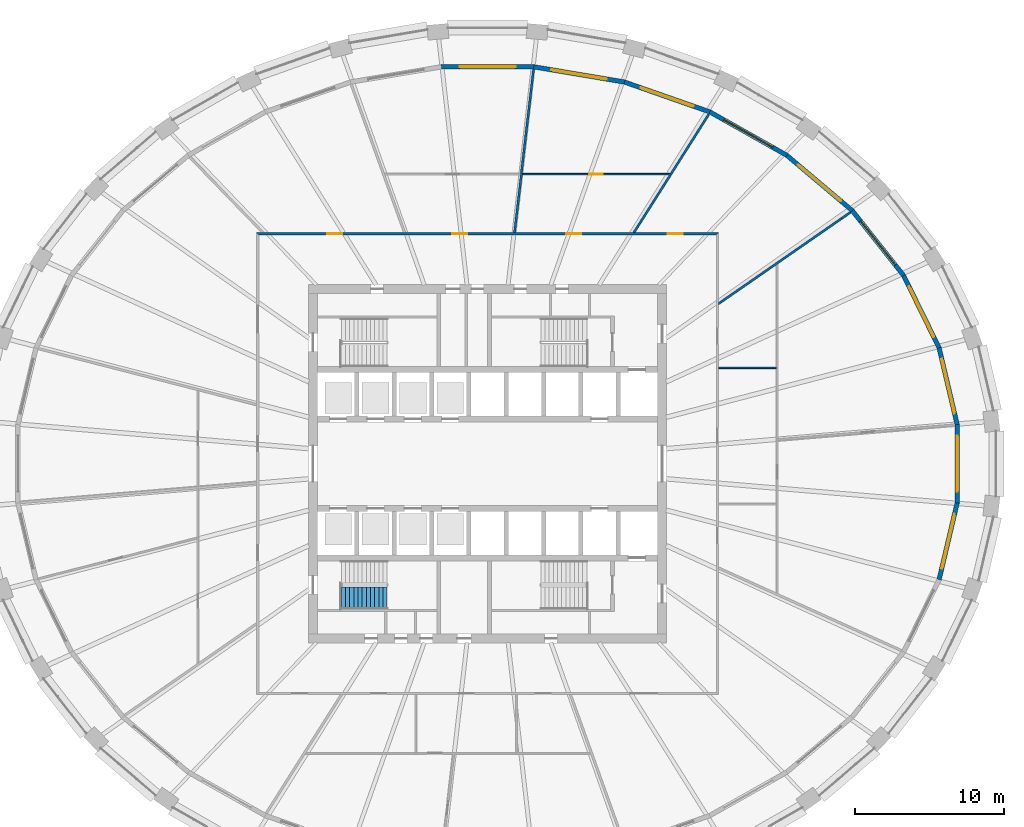
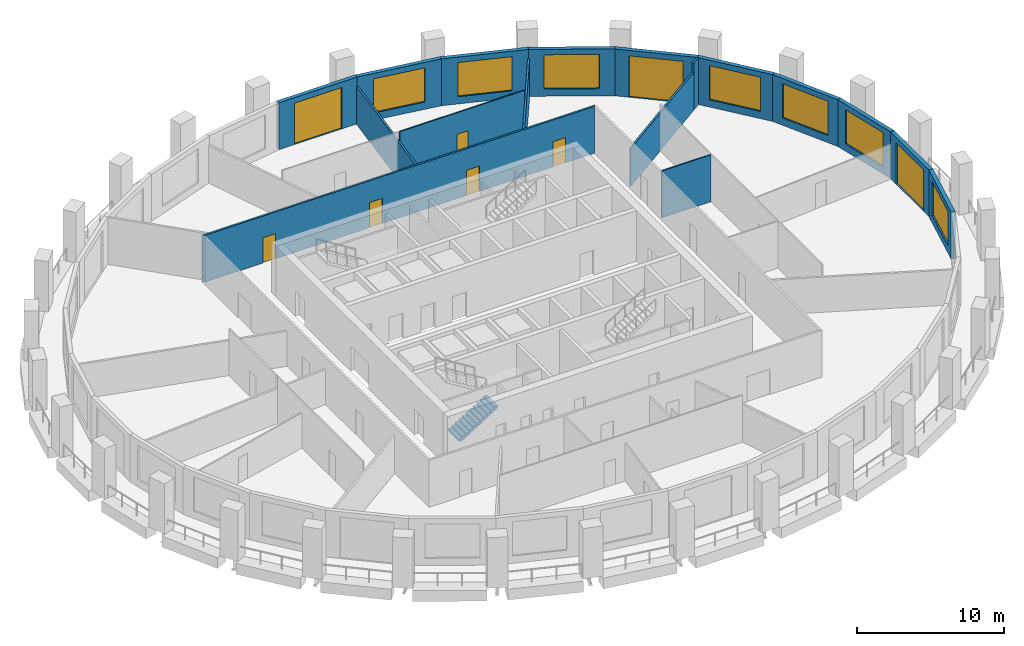
# One storey, part 7 of 11: 18 walls, 8 doors, 7 windows, 1 stair flight, 15 openings, 1 element without a shape of its own.
"""IFC4 building model written with IfcOpenShell, lengths in metres."""

from ifc_helpers import new_model, si_unit, direction, frame, frame_2d, origin, place, context, subcontext, project, spatial, polyline, rectangle, outline, extrude, material, layer, layer_set, type_object, element, fill, aggregate, save


model = new_model("IFC4")

# Units and contexts
model_context = context("Model", 3, precision=1e-05, world=origin(), true_north=direction((0.0, 1.0)))
body_context = subcontext(model_context, "Body", "Model", "MODEL_VIEW")
ifc_project = project(units=[si_unit("LENGTHUNIT", "METRE"), si_unit("AREAUNIT", "SQUARE_METRE"), si_unit("VOLUMEUNIT", "CUBIC_METRE"), si_unit("PLANEANGLEUNIT", "RADIAN"), si_unit("MASSUNIT", "GRAM", prefix="KILO")], contexts=[model_context])

# Site, building, storey
site_placement = place(None, origin())
site = spatial("IfcSite", under=ifc_project, at=site_placement, CompositionType="ELEMENT")
building_placement = place(site_placement, origin())
building = spatial("IfcBuilding", under=site, at=building_placement, Name="Halqa Exchange Tower", CompositionType="ELEMENT")
storey_placement = place(building_placement, frame((0.0, 0.0, 150.699951171875)))
storey = spatial("IfcBuildingStorey", under=building, at=storey_placement, Name="L34", CompositionType="ELEMENT", Elevation=150.699951171875)

# Wall, openings, doors
ifc_material_1 = material(Name="Fire-rated gypsum board")
ifc_layer_1 = layer(ifc_material_1, 0.14990234375)
ifc_layer_set_1 = layer_set([ifc_layer_1], Name="Fire-rated gypsum board")
wall_type_1 = type_object("IfcWallType", Name="Fire partition EI 60 150", PredefinedType="PARTITIONING", material=ifc_layer_set_1)
wall_1_placement = place(storey_placement, frame((-15.47509765625, 15.39990234375, 0.0), z_axis=(0.0, 0.0, 1.0), x_axis=(1.0, 0.0, 0.0)))
wall_1 = element("IfcWall", 1, at=wall_1_placement, inside=storey, type_object=wall_type_1, Name="L34-PWL-009", PredefinedType="PARTITIONING", context=body_context, shape_type="SweptSolid", body=[
    extrude(outline(polyline([(0.150146484375, -0.074951171875), (2.065673828125, -0.074951171875), (3.9814453125, -0.074951171875), (5.89697265625, -0.074951171875), (7.8125, -0.074951171875), (9.728271484375, -0.074951171875), (11.643798828125, -0.074951171875), (13.5595703125, -0.074951171875), (15.47509765625, -0.074951171875), (17.390625, -0.074951171875), (19.306396484375, -0.074951171875), (21.221923828125, -0.074951171875), (23.1376953125, -0.074951171875), (25.05322265625, -0.074951171875), (26.96875, -0.074951171875), (28.884521484375, -0.074951171875), (30.800048828125, -0.074951171875), (30.949951171875, 0.074951171875), (29.015625, 0.074951171875), (27.081298828125, 0.074951171875), (25.14697265625, 0.074951171875), (23.21240234375, 0.074951171875), (21.278076171875, 0.074951171875), (19.34375, 0.074951171875), (17.409423828125, 0.074951171875), (15.47509765625, 0.074951171875), (13.540771484375, 0.074951171875), (11.6064453125, 0.074951171875), (9.672119140625, 0.074951171875), (7.73779296875, 0.074951171875), (5.80322265625, 0.074951171875), (3.868896484375, 0.074951171875), (1.9345703125, 0.074951171875), (0.000244140625, 0.074951171875), (0.150146484375, -0.074951171875)])), origin(), (0.0, 0.0, 1.0), 3.900146484375),
])
opening_1_placement = place(wall_1_placement, frame((27.550048828125, 0.0, 0.0)))
opening_1 = element("IfcOpeningElement", 2, at=opening_1_placement, cuts=wall_1, Name="Opening 10-04", PredefinedType="OPENING", context=body_context, shape_type="SweptSolid", body=[
    extrude(rectangle(XDim=1.0, YDim=2.10009765625, at=frame_2d((0.5, 1.050048828125))), frame((0.0, 0.0869140625, 0.0), z_axis=(0.0, -1.0, 0.0), x_axis=(1.0, 0.0, 0.0)), (0.0, 0.0, 1.0), 0.173828125),
])
opening_2_placement = place(wall_1_placement, frame((20.75, 0.0, 0.0)))
opening_2 = element("IfcOpeningElement", 3, at=opening_2_placement, cuts=wall_1, Name="Opening 10-05", PredefinedType="OPENING", context=body_context, shape_type="SweptSolid", body=[
    extrude(rectangle(XDim=1.0, YDim=2.10009765625, at=frame_2d((0.5, 1.050048828125))), frame((0.0, 0.0869140625, 0.0), z_axis=(0.0, -1.0, 0.0), x_axis=(1.0, 0.0, 0.0)), (0.0, 0.0, 1.0), 0.173828125),
])
opening_3_placement = place(wall_1_placement, frame((13.110107421875, 0.0, 0.0)))
opening_3 = element("IfcOpeningElement", 4, at=opening_3_placement, cuts=wall_1, Name="Opening 10-06", PredefinedType="OPENING", context=body_context, shape_type="SweptSolid", body=[
    extrude(rectangle(XDim=1.0, YDim=2.10009765625, at=frame_2d((0.5, 1.050048828125))), frame((0.0, 0.0869140625, 0.0), z_axis=(0.0, -1.0, 0.0), x_axis=(1.0, 0.0, 0.0)), (0.0, 0.0, 1.0), 0.173828125),
])
opening_4_placement = place(wall_1_placement, frame((4.72509765625, 0.0, 0.0)))
opening_4 = element("IfcOpeningElement", 5, at=opening_4_placement, cuts=wall_1, Name="Opening 10-07", PredefinedType="OPENING", context=body_context, shape_type="SweptSolid", body=[
    extrude(rectangle(XDim=1.0, YDim=2.10009765625, at=frame_2d((0.5, 1.050048828125))), frame((0.0, 0.0869140625, 0.0), z_axis=(0.0, -1.0, 0.0), x_axis=(1.0, 0.0, 0.0)), (0.0, 0.0, 1.0), 0.173828125),
])
ifc_material_2 = material(Name="Steel fire door leaf", Category="steel")
door_type_1 = type_object("IfcDoorType", Name="Fire door FD30S 1000 x 2100", OperationType="SINGLE_SWING_LEFT", PredefinedType="DOOR", material=ifc_material_2)
door_1_placement = place(opening_1_placement, origin())
door_1 = element("IfcDoor", 6, at=door_1_placement, inside=storey, type_object=door_type_1, Name="L34-IDR-004", OperationType="SINGLE_SWING_RIGHT", OverallHeight=2.10009765625, OverallWidth=1.0, PredefinedType="DOOR", context=body_context, shape_type="SweptSolid", body=[
    extrude(rectangle(XDim=1.0, YDim=2.10009765625, at=frame_2d((0.5, 1.050048828125))), frame((0.0, 0.02490234375, 0.0), z_axis=(0.0, -1.0, 0.0), x_axis=(1.0, 0.0, 0.0)), (0.0, 0.0, 1.0), 0.050048828125),
])
fill(opening_1, door_1)
door_2_placement = place(opening_2_placement, origin())
door_2 = element("IfcDoor", 7, at=door_2_placement, inside=storey, type_object=door_type_1, Name="L34-IDR-005", OperationType="SINGLE_SWING_LEFT", OverallHeight=2.10009765625, OverallWidth=1.0, PredefinedType="DOOR", context=body_context, shape_type="SweptSolid", body=[
    extrude(rectangle(XDim=1.0, YDim=2.10009765625, at=frame_2d((0.5, 1.050048828125))), frame((0.0, 0.02490234375, 0.0), z_axis=(0.0, -1.0, 0.0), x_axis=(1.0, 0.0, 0.0)), (0.0, 0.0, 1.0), 0.050048828125),
])
fill(opening_2, door_2)
door_3_placement = place(opening_3_placement, origin())
door_3 = element("IfcDoor", 8, at=door_3_placement, inside=storey, type_object=door_type_1, Name="L34-IDR-006", OperationType="SINGLE_SWING_LEFT", OverallHeight=2.10009765625, OverallWidth=1.0, PredefinedType="DOOR", context=body_context, shape_type="SweptSolid", body=[
    extrude(rectangle(XDim=1.0, YDim=2.10009765625, at=frame_2d((0.5, 1.050048828125))), frame((0.0, 0.02490234375, 0.0), z_axis=(0.0, -1.0, 0.0), x_axis=(1.0, 0.0, 0.0)), (0.0, 0.0, 1.0), 0.050048828125),
])
fill(opening_3, door_3)
door_4_placement = place(opening_4_placement, origin())
door_4 = element("IfcDoor", 9, at=door_4_placement, inside=storey, type_object=door_type_1, Name="L34-IDR-007", OperationType="SINGLE_SWING_LEFT", OverallHeight=2.10009765625, OverallWidth=1.0, PredefinedType="DOOR", context=body_context, shape_type="SweptSolid", body=[
    extrude(rectangle(XDim=1.0, YDim=2.10009765625, at=frame_2d((0.5, 1.050048828125))), frame((0.0, 0.02490234375, 0.0), z_axis=(0.0, -1.0, 0.0), x_axis=(1.0, 0.0, 0.0)), (0.0, 0.0, 1.0), 0.050048828125),
])
fill(opening_4, door_4)

# Walls
wall_2_placement = place(storey_placement, frame((1.807861328125, 15.466552734375, 0.0), z_axis=(0.0, 0.0, 1.0), x_axis=(0.116696736795, 0.993167594931, 0.0)))
element("IfcWall", 10, at=wall_2_placement, inside=storey, type_object=wall_type_1, Name="L34-PWL-017", PredefinedType="PARTITIONING", context=body_context, shape_type="SweptSolid", body=[
    extrude(outline(polyline([(0.017333984375, -0.074951171875), (2.012451171875, -0.074951171875), (4.0078125, -0.074951171875), (4.018798828125, -0.07373046875), (4.018798828125, 0.074951171875), (3.998291015625, 0.074951171875), (3.902587890625, 0.063720703125), (3.9013671875, 0.074951171875), (1.95068359375, 0.074951171875), (0.0, 0.074951171875), (0.0, 0.072265625), (0.017333984375, -0.074951171875)])), origin(), (0.0, 0.0, 1.0), 3.14697265625),
])
wall_3_placement = place(storey_placement, frame((2.264892578125, 19.441650390625, 0.0), z_axis=(0.0, 0.0, 1.0), x_axis=(0.116372597522, 0.993205627524, 0.0)))
element("IfcWall", 11, at=wall_3_placement, inside=storey, type_object=wall_type_1, Name="L34-PWL-019", PredefinedType="PARTITIONING", context=body_context, shape_type="SweptSolid", body=[
    extrude(outline(polyline([(7.042724609375, -0.074951171875), (7.042724609375, 0.034912109375), (7.0380859375, 0.074951171875), (5.278564453125, 0.074951171875), (3.51904296875, 0.074951171875), (1.759521484375, 0.074951171875), (0.0, 0.074951171875), (0.0, 0.07177734375), (0.000732421875, 0.0654296875), (0.0, 0.0654296875), (0.0, 0.065185546875), (0.017822265625, 0.065185546875), (0.017822265625, -0.074951171875), (1.77392578125, -0.074951171875), (3.5302734375, -0.074951171875), (5.286376953125, -0.074951171875), (7.042724609375, -0.074951171875)])), origin(), (0.0, 0.0, 1.0), 3.14697265625),
])
wall_4_placement = place(storey_placement, frame((9.772216796875, 15.43505859375, 0.0), z_axis=(0.0, 0.0, 1.0), x_axis=(0.535018864906, 0.844840111616, 0.0)))
element("IfcWall", 12, at=wall_4_placement, inside=storey, type_object=wall_type_1, Name="L34-PWL-022", PredefinedType="PARTITIONING", context=body_context, shape_type="SweptSolid", body=[
    extrude(outline(polyline([(9.442626953125, 0.074951171875), (7.863037109375, 0.074951171875), (6.283447265625, 0.074951171875), (4.703857421875, 0.074951171875), (4.6201171875, 0.02197265625), (4.58642578125, 0.074951171875), (3.0576171875, 0.074951171875), (1.52880859375, 0.074951171875), (0.0, 0.074951171875), (0.0, 0.07470703125), (0.0947265625, -0.074951171875), (1.96435546875, -0.074951171875), (3.833984375, -0.074951171875), (5.703369140625, -0.074951171875), (7.572998046875, -0.074951171875), (9.442626953125, -0.074951171875), (9.442626953125, 0.074951171875)])), origin(), (0.0, 0.0, 1.0), 3.14697265625),
])
wall_5_placement = place(storey_placement, frame((15.4326171875, 10.6923828125, 0.0), z_axis=(0.0, 0.0, 1.0), x_axis=(0.822108408401, 0.569330980042, 0.0)))
element("IfcWall", 13, at=wall_5_placement, inside=storey, type_object=wall_type_1, Name="L34-PWL-027", PredefinedType="PARTITIONING", context=body_context, shape_type="SweptSolid", body=[
    extrude(outline(polyline([(0.0, -0.074951171875), (1.571044921875, -0.074951171875), (3.14208984375, -0.074951171875), (4.713134765625, -0.074951171875), (4.715087890625, -0.072265625), (4.718994140625, -0.074951171875), (6.50341796875, -0.074951171875), (8.28759765625, -0.074951171875), (10.07177734375, -0.074951171875), (10.07177734375, 0.074951171875), (8.078125, 0.074951171875), (6.08447265625, 0.074951171875), (4.0908203125, 0.074951171875), (2.09716796875, 0.074951171875), (0.103515625, 0.074951171875), (0.0, -0.074462890625), (0.0, -0.074951171875)])), origin(), (0.0, 0.0, 1.0), 3.14697265625),
])
wall_6_placement = place(storey_placement, frame((23.712646484375, 16.426513671875, 0.0), z_axis=(0.0, 0.0, 1.0), x_axis=(0.822145264982, 0.569277755816, 0.0)))
element("IfcWall", 14, at=wall_6_placement, inside=storey, type_object=wall_type_1, Name="L34-PWL-031", PredefinedType="PARTITIONING", context=body_context, shape_type="SweptSolid", body=[
    extrude(outline(polyline([(0.749267578125, -0.074951171875), (0.749267578125, -0.071533203125), (0.744384765625, 0.005615234375), (0.7255859375, 0.074951171875), (0.0, 0.074951171875), (0.0, -0.074951171875), (0.749267578125, -0.074951171875)])), origin(), (0.0, 0.0, 1.0), 3.900146484375),
])

# Wall, opening, door
ifc_material_3 = material(Name="Gypsum board")
ifc_layer_2 = layer(ifc_material_3, 0.10009765625)
ifc_layer_set_2 = layer_set([ifc_layer_2], Name="Gypsum board")
wall_type_2 = type_object("IfcWallType", Name="Partition 100 gypsum", PredefinedType="PARTITIONING", material=ifc_layer_set_2)
wall_7_placement = place(storey_placement, frame((2.340087890625, 19.39990234375, 0.0), z_axis=(0.0, 0.0, 1.0), x_axis=(1.0, 0.0, 0.0)))
wall_7 = element("IfcWall", 15, at=wall_7_placement, inside=storey, type_object=wall_type_2, Name="L34-PWL-020", PredefinedType="PARTITIONING", context=body_context, shape_type="SweptSolid", body=[
    extrude(outline(polyline([(0.0, -0.050048828125), (1.964599609375, -0.050048828125), (3.928955078125, -0.050048828125), (5.8935546875, -0.050048828125), (7.858154296875, -0.050048828125), (9.822509765625, -0.050048828125), (9.885498046875, 0.04931640625), (9.885498046875, 0.050048828125), (7.90966796875, 0.050048828125), (5.93359375, 0.050048828125), (3.957763671875, 0.050048828125), (1.981689453125, 0.050048828125), (0.005859375, 0.050048828125), (0.01123046875, 0.04931640625), (0.0, -0.0458984375), (0.0, -0.050048828125)])), origin(), (0.0, 0.0, 1.0), 3.900146484375),
])
opening_5_placement = place(wall_7_placement, frame((4.485107421875, 0.0, 0.0)))
opening_5 = element("IfcOpeningElement", 16, at=opening_5_placement, cuts=wall_7, Name="Opening 10-18", PredefinedType="OPENING", context=body_context, shape_type="SweptSolid", body=[
    extrude(rectangle(XDim=0.89990234375, YDim=2.10009765625, at=frame_2d((0.449951171875, 1.050048828125))), frame((0.0, 0.06201171875, 0.0), z_axis=(0.0, -1.0, 0.0), x_axis=(1.0, 0.0, 0.0)), (0.0, 0.0, 1.0), 0.1240234375),
])
ifc_material_4 = material(Name="Timber door leaf", Category="wood")
door_type_2 = type_object("IfcDoorType", Name="Door 900 x 2100", OperationType="SINGLE_SWING_LEFT", PredefinedType="DOOR", material=ifc_material_4)
door_5_placement = place(opening_5_placement, frame((0.89990234375, 0.0, 0.0), z_axis=(0.0, 0.0, 1.0), x_axis=(-1.0, 0.0, 0.0)))
door_5 = element("IfcDoor", 17, at=door_5_placement, inside=storey, type_object=door_type_2, Name="L34-IDR-018", OperationType="SINGLE_SWING_RIGHT", OverallHeight=2.10009765625, OverallWidth=0.89990234375, PredefinedType="DOOR", context=body_context, shape_type="SweptSolid", body=[
    extrude(rectangle(XDim=0.89990234375, YDim=2.10009765625, at=frame_2d((0.449951171875, 1.050048828125))), frame((0.0, 0.02490234375, 0.0), z_axis=(0.0, -1.0, 0.0), x_axis=(1.0, 0.0, 0.0)), (0.0, 0.0, 1.0), 0.050048828125),
])
fill(opening_5, door_5)

# Wall
wall_8_placement = place(storey_placement, frame((15.47509765625, 6.419921875, 0.0), z_axis=(0.0, 0.0, 1.0), x_axis=(1.0, 0.0, 0.0)))
element("IfcWall", 18, at=wall_8_placement, inside=storey, type_object=wall_type_2, Name="L34-PWL-026", PredefinedType="PARTITIONING", context=body_context, shape_type="SweptSolid", body=[
    extrude(rectangle(XDim=3.875, YDim=0.10009765625, at=frame_2d((1.9375, 0.0))), origin(), (0.0, 0.0, 1.0), 3.900146484375),
])

# Wall, opening, window
ifc_material_5 = material(Name="Limestone cladding", Category="masonry")
ifc_layer_3 = layer(ifc_material_5, 0.0400390625)
ifc_material_6 = material(Name="Ventilated cavity")
ifc_layer_4 = layer(ifc_material_6, 0.030029296875, ventilated=True)
ifc_material_7 = material(Name="Mineral wool insulation")
ifc_layer_5 = layer(ifc_material_7, 0.10009765625)
ifc_material_8 = material(Name="Concrete C30/37", Category="concrete")
ifc_layer_6 = layer(ifc_material_8, 0.10009765625)
ifc_material_9 = material(Name="Internal plaster")
ifc_layer_7 = layer(ifc_material_9, 0.030029296875)
ifc_layer_set_3 = layer_set([ifc_layer_3, ifc_layer_4, ifc_layer_5, ifc_layer_6, ifc_layer_7], Name="Stone-faced insulated wall 300")
wall_type_3 = type_object("IfcWallType", Name="Stone-faced insulated wall 300", PredefinedType="STANDARD", material=ifc_layer_set_3)
wall_9_placement = place(storey_placement, frame((31.461669921875, 2.62158203125, 0.0), z_axis=(0.0, 0.0, 1.0), x_axis=(-0.229289208312, 0.973358340464, 0.0)))
wall_9 = element("IfcWall", 19, at=wall_9_placement, inside=storey, type_object=wall_type_3, Name="Glass-line wall 1", PredefinedType="STANDARD", context=body_context, shape_type="SweptSolid", body=[
    extrude(outline(polyline([(-0.017333984375, -0.14990234375), (5.299072265625, -0.14990234375), (5.265380859375, 0.14990234375), (0.017333984375, 0.14990234375), (-0.017333984375, -0.14990234375)])), origin(), (0.0, 0.0, 1.0), 3.900146484375),
])
opening_6_placement = place(wall_9_placement, frame((0.76611328125, 0.0, 0.60009765625)))
opening_6 = element("IfcOpeningElement", 20, at=opening_6_placement, cuts=wall_9, Name="Opening W-F2-01", PredefinedType="OPENING", context=body_context, shape_type="SweptSolid", body=[
    extrude(rectangle(XDim=3.75, YDim=2.85009765625, at=frame_2d((1.875, 1.425048828125))), frame((0.0, 0.162109375, 0.0), z_axis=(0.0, -1.0, 0.0), x_axis=(1.0, 0.0, 0.0)), (0.0, 0.0, 1.0), 0.323974609375),
])
ifc_material_10 = material(Name="Clear low-emissivity glass in aluminium frame", Category="aluminium")
window_type = type_object("IfcWindowType", Name="Fixed clear glazed window 3750 x 2850", PartitioningType="TRIPLE_PANEL_VERTICAL", PredefinedType="WINDOW", material=ifc_material_10)
window_1_placement = place(opening_6_placement, origin())
window_1 = element("IfcWindow", 21, at=window_1_placement, inside=storey, type_object=window_type, Name="Window 2", OverallHeight=2.85009765625, OverallWidth=3.75, PartitioningType="TRIPLE_PANEL_VERTICAL", PredefinedType="WINDOW", context=body_context, shape_type="SweptSolid", body=[
    extrude(rectangle(XDim=3.75, YDim=2.85009765625, at=frame_2d((1.875, 1.425048828125))), frame((0.0, 0.030029296875, 0.0), z_axis=(0.0, -1.0, 0.0), x_axis=(1.0, 0.0, 0.0)), (0.0, 0.0, 1.0), 0.06005859375),
])
fill(opening_6, window_1)

wall_10_placement = place(storey_placement, frame((30.25048828125, 7.76318359375, 0.0), z_axis=(0.0, 0.0, 1.0), x_axis=(-0.440373354088, 0.897814740918, 0.0)))
wall_10 = element("IfcWall", 22, at=wall_10_placement, inside=storey, type_object=wall_type_3, Name="Glass-line wall 2", PredefinedType="STANDARD", context=body_context, shape_type="SweptSolid", body=[
    extrude(outline(polyline([(-0.016845703125, -0.14990234375), (5.40869140625, -0.14990234375), (5.37646484375, 0.14990234375), (0.016845703125, 0.14990234375), (-0.016845703125, -0.14990234375)])), origin(), (0.0, 0.0, 1.0), 3.900146484375),
])
opening_7_placement = place(wall_10_placement, frame((0.8212890625, 0.0, 0.60009765625)))
opening_7 = element("IfcOpeningElement", 23, at=opening_7_placement, cuts=wall_10, Name="Opening W-F2-02", PredefinedType="OPENING", context=body_context, shape_type="SweptSolid", body=[
    extrude(rectangle(XDim=3.75, YDim=2.85009765625, at=frame_2d((1.875, 1.425048828125))), frame((0.0, 0.162109375, 0.0), z_axis=(0.0, -1.0, 0.0), x_axis=(1.0, 0.0, 0.0)), (0.0, 0.0, 1.0), 0.323974609375),
])
window_2_placement = place(opening_7_placement, origin())
window_2 = element("IfcWindow", 24, at=window_2_placement, inside=storey, type_object=window_type, Name="Window 2", OverallHeight=2.85009765625, OverallWidth=3.75, PartitioningType="TRIPLE_PANEL_VERTICAL", PredefinedType="WINDOW", context=body_context, shape_type="SweptSolid", body=[
    extrude(rectangle(XDim=3.75, YDim=2.85009765625, at=frame_2d((1.875, 1.425048828125))), frame((0.0, 0.030029296875, 0.0), z_axis=(0.0, -1.0, 0.0), x_axis=(1.0, 0.0, 0.0)), (0.0, 0.0, 1.0), 0.06005859375),
])
fill(opening_7, window_2)

wall_11_placement = place(storey_placement, frame((27.875732421875, 12.604736328125, 0.0), z_axis=(0.0, 0.0, 1.0), x_axis=(-0.620520511988, 0.784190215574, 0.0)))
wall_11 = element("IfcWall", 25, at=wall_11_placement, inside=storey, type_object=wall_type_3, Name="Glass-line wall 3", PredefinedType="STANDARD", context=body_context, shape_type="SweptSolid", body=[
    extrude(outline(polyline([(-0.01611328125, -0.14990234375), (5.568603515625, -0.14990234375), (5.538330078125, 0.14990234375), (0.01611328125, 0.14990234375), (-0.01611328125, -0.14990234375)])), origin(), (0.0, 0.0, 1.0), 3.900146484375),
])
opening_8_placement = place(wall_11_placement, frame((0.901611328125, 0.0, 0.60009765625)))
opening_8 = element("IfcOpeningElement", 26, at=opening_8_placement, cuts=wall_11, Name="Opening W-F2-03", PredefinedType="OPENING", context=body_context, shape_type="SweptSolid", body=[
    extrude(rectangle(XDim=3.75, YDim=2.85009765625, at=frame_2d((1.875, 1.425048828125))), frame((0.0, 0.162109375, 0.0), z_axis=(0.0, -1.0, 0.0), x_axis=(1.0, 0.0, 0.0)), (0.0, 0.0, 1.0), 0.323974609375),
])
window_3_placement = place(opening_8_placement, origin())
window_3 = element("IfcWindow", 27, at=window_3_placement, inside=storey, type_object=window_type, Name="Window 2", OverallHeight=2.85009765625, OverallWidth=3.75, PartitioningType="TRIPLE_PANEL_VERTICAL", PredefinedType="WINDOW", context=body_context, shape_type="SweptSolid", body=[
    extrude(rectangle(XDim=3.75, YDim=2.85009765625, at=frame_2d((1.875, 1.425048828125))), frame((0.0, 0.030029296875, 0.0), z_axis=(0.0, -1.0, 0.0), x_axis=(1.0, 0.0, 0.0)), (0.0, 0.0, 1.0), 0.06005859375),
])
fill(opening_8, window_3)

# Wall, opening, door
wall_12_placement = place(storey_placement, frame((24.4296875, 16.959716796875, 0.0), z_axis=(0.0, 0.0, 1.0), x_axis=(-0.764047627809, 0.64515984255, 0.0)))
wall_12 = element("IfcWall", 28, at=wall_12_placement, inside=storey, type_object=wall_type_3, Name="Glass-line wall 4", PredefinedType="STANDARD", context=body_context, shape_type="SweptSolid", body=[
    extrude(outline(polyline([(-0.01513671875, -0.14990234375), (5.751708984375, -0.14990234375), (5.723388671875, 0.14990234375), (0.01513671875, 0.14990234375), (-0.01513671875, -0.14990234375)])), origin(), (0.0, 0.0, 1.0), 3.900146484375),
])
opening_9_placement = place(wall_12_placement, frame((0.99365234375, 0.0, 0.0)))
opening_9 = element("IfcOpeningElement", 29, at=opening_9_placement, cuts=wall_12, Name="Opening LG-F2-01", PredefinedType="OPENING", context=body_context, shape_type="SweptSolid", body=[
    extrude(rectangle(XDim=3.75, YDim=3.449951171875, at=frame_2d((1.875, 1.72509765625))), frame((0.0, 0.162109375, 0.0), z_axis=(0.0, -1.0, 0.0), x_axis=(1.0, 0.0, 0.0)), (0.0, 0.0, 1.0), 0.323974609375),
])
door_type_3 = type_object("IfcDoorType", Name="Glazed sliding loggia door 3750 x 3450", OperationType="DOUBLE_DOOR_SLIDING", PredefinedType="DOOR", material=ifc_material_10)
door_6_placement = place(opening_9_placement, origin())
door_6 = element("IfcDoor", 30, at=door_6_placement, inside=storey, type_object=door_type_3, Name="Loggia door 1", OperationType="DOUBLE_DOOR_SLIDING", OverallHeight=3.449951171875, OverallWidth=3.75, PredefinedType="DOOR", context=body_context, shape_type="SweptSolid", body=[
    extrude(rectangle(XDim=3.75, YDim=3.449951171875, at=frame_2d((1.875, 1.72509765625))), frame((0.0, 0.02490234375, 0.0), z_axis=(0.0, -1.0, 0.0), x_axis=(1.0, 0.0, 0.0)), (0.0, 0.0, 1.0), 0.050048828125),
])
fill(opening_9, door_6)

# Wall, opening, window
wall_13_placement = place(storey_placement, frame((20.0458984375, 20.661376953125, 0.0), z_axis=(0.0, 0.0, 1.0), x_axis=(-0.870912346166, 0.491438384028, 0.0)))
wall_13 = element("IfcWall", 31, at=wall_13_placement, inside=storey, type_object=wall_type_3, Name="Glass-line wall 5", PredefinedType="STANDARD", context=body_context, shape_type="SweptSolid", body=[
    extrude(outline(polyline([(-0.01416015625, -0.14990234375), (5.92919921875, -0.14990234375), (5.90234375, 0.14990234375), (0.01416015625, 0.14990234375), (-0.01416015625, -0.14990234375)])), origin(), (0.0, 0.0, 1.0), 3.900146484375),
])
opening_10_placement = place(wall_13_placement, frame((1.0830078125, 0.0, 0.60009765625)))
opening_10 = element("IfcOpeningElement", 32, at=opening_10_placement, cuts=wall_13, Name="Opening W-F2-05", PredefinedType="OPENING", context=body_context, shape_type="SweptSolid", body=[
    extrude(rectangle(XDim=3.75, YDim=2.85009765625, at=frame_2d((1.875, 1.425048828125))), frame((0.0, 0.162109375, 0.0), z_axis=(0.0, -1.0, 0.0), x_axis=(1.0, 0.0, 0.0)), (0.0, 0.0, 1.0), 0.323974609375),
])
window_4_placement = place(opening_10_placement, origin())
window_4 = element("IfcWindow", 33, at=window_4_placement, inside=storey, type_object=window_type, Name="Window 2", OverallHeight=2.85009765625, OverallWidth=3.75, PartitioningType="TRIPLE_PANEL_VERTICAL", PredefinedType="WINDOW", context=body_context, shape_type="SweptSolid", body=[
    extrude(rectangle(XDim=3.75, YDim=2.85009765625, at=frame_2d((1.875, 1.425048828125))), frame((0.0, 0.030029296875, 0.0), z_axis=(0.0, -1.0, 0.0), x_axis=(1.0, 0.0, 0.0)), (0.0, 0.0, 1.0), 0.06005859375),
])
fill(opening_10, window_4)

wall_14_placement = place(storey_placement, frame((14.893798828125, 23.568603515625, 0.0), z_axis=(0.0, 0.0, 1.0), x_axis=(-0.943925510212, 0.330158494016, 0.0)))
wall_14 = element("IfcWall", 34, at=wall_14_placement, inside=storey, type_object=wall_type_3, Name="Glass-line wall 6", PredefinedType="STANDARD", context=body_context, shape_type="SweptSolid", body=[
    extrude(outline(polyline([(-0.013427734375, -0.14990234375), (6.07568359375, -0.14990234375), (6.05029296875, 0.14990234375), (0.013427734375, 0.14990234375), (-0.013427734375, -0.14990234375)])), origin(), (0.0, 0.0, 1.0), 3.900146484375),
])
opening_11_placement = place(wall_14_placement, frame((1.156494140625, 0.0, 0.60009765625)))
opening_11 = element("IfcOpeningElement", 35, at=opening_11_placement, cuts=wall_14, Name="Opening W-F2-06", PredefinedType="OPENING", context=body_context, shape_type="SweptSolid", body=[
    extrude(rectangle(XDim=3.75, YDim=2.85009765625, at=frame_2d((1.875, 1.425048828125))), frame((0.0, 0.162109375, 0.0), z_axis=(0.0, -1.0, 0.0), x_axis=(1.0, 0.0, 0.0)), (0.0, 0.0, 1.0), 0.323974609375),
])
window_5_placement = place(opening_11_placement, origin())
window_5 = element("IfcWindow", 36, at=window_5_placement, inside=storey, type_object=window_type, Name="Window 2", OverallHeight=2.85009765625, OverallWidth=3.75, PartitioningType="TRIPLE_PANEL_VERTICAL", PredefinedType="WINDOW", context=body_context, shape_type="SweptSolid", body=[
    extrude(rectangle(XDim=3.75, YDim=2.85009765625, at=frame_2d((1.875, 1.425048828125))), frame((0.0, 0.030029296875, 0.0), z_axis=(0.0, -1.0, 0.0), x_axis=(1.0, 0.0, 0.0)), (0.0, 0.0, 1.0), 0.06005859375),
])
fill(opening_11, window_5)

wall_15_placement = place(storey_placement, frame((9.1708984375, 25.5703125, 0.0), z_axis=(0.0, 0.0, 1.0), x_axis=(-0.986186393203, 0.165639360845, 0.0)))
wall_15 = element("IfcWall", 37, at=wall_15_placement, inside=storey, type_object=wall_type_3, Name="Glass-line wall 7", PredefinedType="STANDARD", context=body_context, shape_type="SweptSolid", body=[
    extrude(outline(polyline([(-0.0126953125, -0.14990234375), (6.172119140625, -0.14990234375), (6.147216796875, 0.14990234375), (0.0126953125, 0.14990234375), (-0.0126953125, -0.14990234375)])), origin(), (0.0, 0.0, 1.0), 3.900146484375),
])
opening_12_placement = place(wall_15_placement, frame((1.20458984375, 0.0, 0.60009765625)))
opening_12 = element("IfcOpeningElement", 38, at=opening_12_placement, cuts=wall_15, Name="Opening W-F2-07", PredefinedType="OPENING", context=body_context, shape_type="SweptSolid", body=[
    extrude(rectangle(XDim=3.75, YDim=2.85009765625, at=frame_2d((1.875, 1.425048828125))), frame((0.0, 0.162109375, 0.0), z_axis=(0.0, -1.0, 0.0), x_axis=(1.0, 0.0, 0.0)), (0.0, 0.0, 1.0), 0.323974609375),
])
window_6_placement = place(opening_12_placement, origin())
window_6 = element("IfcWindow", 39, at=window_6_placement, inside=storey, type_object=window_type, Name="Window 2", OverallHeight=2.85009765625, OverallWidth=3.75, PartitioningType="TRIPLE_PANEL_VERTICAL", PredefinedType="WINDOW", context=body_context, shape_type="SweptSolid", body=[
    extrude(rectangle(XDim=3.75, YDim=2.85009765625, at=frame_2d((1.875, 1.425048828125))), frame((0.0, 0.030029296875, 0.0), z_axis=(0.0, -1.0, 0.0), x_axis=(1.0, 0.0, 0.0)), (0.0, 0.0, 1.0), 0.06005859375),
])
fill(opening_12, window_6)

# Wall, opening, door
wall_16_placement = place(storey_placement, frame((3.096435546875, 26.590576171875, 0.0), z_axis=(0.0, 0.0, 1.0), x_axis=(-1.0, 0.0, 0.0)))
wall_16 = element("IfcWall", 40, at=wall_16_placement, inside=storey, type_object=wall_type_3, Name="Glass-line wall 8", PredefinedType="STANDARD", context=body_context, shape_type="SweptSolid", body=[
    extrude(outline(polyline([(-0.012451171875, -0.14990234375), (6.205322265625, -0.14990234375), (6.180419921875, 0.14990234375), (0.012451171875, 0.14990234375), (-0.012451171875, -0.14990234375)])), origin(), (0.0, 0.0, 1.0), 3.900146484375),
])
opening_13_placement = place(wall_16_placement, frame((1.221435546875, 0.0, 0.0)))
opening_13 = element("IfcOpeningElement", 41, at=opening_13_placement, cuts=wall_16, Name="Opening LG-F2-02", PredefinedType="OPENING", context=body_context, shape_type="SweptSolid", body=[
    extrude(rectangle(XDim=3.75, YDim=3.449951171875, at=frame_2d((1.875, 1.72509765625))), frame((0.0, 0.162109375, 0.0), z_axis=(0.0, -1.0, 0.0), x_axis=(1.0, 0.0, 0.0)), (0.0, 0.0, 1.0), 0.323974609375),
])
door_7_placement = place(opening_13_placement, origin())
door_7 = element("IfcDoor", 42, at=door_7_placement, inside=storey, type_object=door_type_3, Name="Loggia door 2", OperationType="DOUBLE_DOOR_SLIDING", OverallHeight=3.449951171875, OverallWidth=3.75, PredefinedType="DOOR", context=body_context, shape_type="SweptSolid", body=[
    extrude(rectangle(XDim=3.75, YDim=3.449951171875, at=frame_2d((1.875, 1.72509765625))), frame((0.0, 0.02490234375, 0.0), z_axis=(0.0, -1.0, 0.0), x_axis=(1.0, 0.0, 0.0)), (0.0, 0.0, 1.0), 0.050048828125),
])
fill(opening_13, door_7)

# Wall, opening, window
wall_17_placement = place(storey_placement, frame((30.25048828125, -7.76318359375, 0.0), z_axis=(0.0, 0.0, 1.0), x_axis=(0.229289208312, 0.973358340464, 0.0)))
wall_17 = element("IfcWall", 43, at=wall_17_placement, inside=storey, type_object=wall_type_3, Name="Glass-line wall 31", PredefinedType="STANDARD", context=body_context, shape_type="SweptSolid", body=[
    extrude(outline(polyline([(-0.016845703125, -0.14990234375), (5.299560546875, -0.14990234375), (5.264892578125, 0.14990234375), (0.016845703125, 0.14990234375), (-0.016845703125, -0.14990234375)])), origin(), (0.0, 0.0, 1.0), 3.900146484375),
])
opening_14_placement = place(wall_17_placement, frame((0.76611328125, 0.0, 0.60009765625)))
opening_14 = element("IfcOpeningElement", 44, at=opening_14_placement, cuts=wall_17, Name="Opening W-F2-31", PredefinedType="OPENING", context=body_context, shape_type="SweptSolid", body=[
    extrude(rectangle(XDim=3.75, YDim=2.85009765625, at=frame_2d((1.875, 1.425048828125))), frame((0.0, 0.162109375, 0.0), z_axis=(0.0, -1.0, 0.0), x_axis=(1.0, 0.0, 0.0)), (0.0, 0.0, 1.0), 0.323974609375),
])
window_7_placement = place(opening_14_placement, origin())
window_7 = element("IfcWindow", 45, at=window_7_placement, inside=storey, type_object=window_type, Name="Window 2", OverallHeight=2.85009765625, OverallWidth=3.75, PartitioningType="TRIPLE_PANEL_VERTICAL", PredefinedType="WINDOW", context=body_context, shape_type="SweptSolid", body=[
    extrude(rectangle(XDim=3.75, YDim=2.85009765625, at=frame_2d((1.875, 1.425048828125))), frame((0.0, 0.030029296875, 0.0), z_axis=(0.0, -1.0, 0.0), x_axis=(1.0, 0.0, 0.0)), (0.0, 0.0, 1.0), 0.06005859375),
])
fill(opening_14, window_7)

# Wall, opening, door
wall_18_placement = place(storey_placement, frame((31.461669921875, -2.62158203125, 0.0), z_axis=(0.0, 0.0, 1.0), x_axis=(0.0, 1.0, 0.0)))
wall_18 = element("IfcWall", 46, at=wall_18_placement, inside=storey, type_object=wall_type_3, Name="Glass-line wall 32", PredefinedType="STANDARD", context=body_context, shape_type="SweptSolid", body=[
    extrude(outline(polyline([(-0.017333984375, -0.14990234375), (5.260498046875, -0.14990234375), (5.225830078125, 0.14990234375), (0.017333984375, 0.14990234375), (-0.017333984375, -0.14990234375)])), origin(), (0.0, 0.0, 1.0), 3.900146484375),
])
opening_15_placement = place(wall_18_placement, frame((0.74658203125, 0.0, 0.0)))
opening_15 = element("IfcOpeningElement", 47, at=opening_15_placement, cuts=wall_18, Name="Opening LG-F2-08", PredefinedType="OPENING", context=body_context, shape_type="SweptSolid", body=[
    extrude(rectangle(XDim=3.75, YDim=3.449951171875, at=frame_2d((1.875, 1.72509765625))), frame((0.0, 0.162109375, 0.0), z_axis=(0.0, -1.0, 0.0), x_axis=(1.0, 0.0, 0.0)), (0.0, 0.0, 1.0), 0.323974609375),
])
door_8_placement = place(opening_15_placement, origin())
door_8 = element("IfcDoor", 48, at=door_8_placement, inside=storey, type_object=door_type_3, Name="Loggia door 8", OperationType="DOUBLE_DOOR_SLIDING", OverallHeight=3.449951171875, OverallWidth=3.75, PredefinedType="DOOR", context=body_context, shape_type="SweptSolid", body=[
    extrude(rectangle(XDim=3.75, YDim=3.449951171875, at=frame_2d((1.875, 1.72509765625))), frame((0.0, 0.02490234375, 0.0), z_axis=(0.0, -1.0, 0.0), x_axis=(1.0, 0.0, 0.0)), (0.0, 0.0, 1.0), 0.050048828125),
])
fill(opening_15, door_8)

# Stair, stair flight
stair_type = type_object("IfcStairType", Name="Exit stair 1500 wide", PredefinedType="HALF_TURN_STAIR", material=ifc_material_8)
stair_placement = place(storey_placement, origin())
stair = element("IfcStair", 49, at=stair_placement, inside=storey, type_object=stair_type, Name="Exit stair ST3", PredefinedType="HALF_TURN_STAIR")
stair_flight_type = type_object("IfcStairFlightType", Name="Stair flight 1500 wide", PredefinedType="STRAIGHT", material=ifc_material_8)
stair_flight_placement = place(storey_placement, frame((-9.800048828125, -9.0, 0.0), z_axis=(0.0, 0.0, 1.0), x_axis=(1.0, 0.0, 0.0)))
stair_flight = element("IfcStairFlight", 50, at=stair_flight_placement, type_object=stair_flight_type, Name="ST3 flight 1", NumberOfRisers=12, NumberOfTreads=11, PredefinedType="STRAIGHT", RiserHeight=0.175, TreadLength=0.28, context=body_context, shape_type="SweptSolid", body=[
    extrude(outline(polyline([(0.0, 0.0), (0.0, 0.175048828125), (0.280029296875, 0.175048828125), (0.280029296875, 0.35009765625), (0.56005859375, 0.35009765625), (0.56005859375, 0.52490234375), (0.840087890625, 0.52490234375), (0.840087890625, 0.699951171875), (1.1201171875, 0.699951171875), (1.1201171875, 0.875), (1.39990234375, 0.875), (1.39990234375, 1.050048828125), (1.679931640625, 1.050048828125), (1.679931640625, 1.22509765625), (1.9599609375, 1.22509765625), (1.9599609375, 1.39990234375), (2.239990234375, 1.39990234375), (2.239990234375, 1.574951171875), (2.52001953125, 1.574951171875), (2.52001953125, 1.75), (2.800048828125, 1.75), (2.800048828125, 1.925048828125), (3.080078125, 1.925048828125), (3.080078125, 2.10009765625), (3.080078125, 1.748291015625), (0.28271484375, 0.0), (0.0, 0.0)])), frame((0.0, 0.75, 0.0), z_axis=(0.0, -1.0, 0.0), x_axis=(1.0, 0.0, 0.0)), (0.0, 0.0, 1.0), 1.5),
])
aggregate(stair, [stair_flight])

save(model, "model.ifc")
